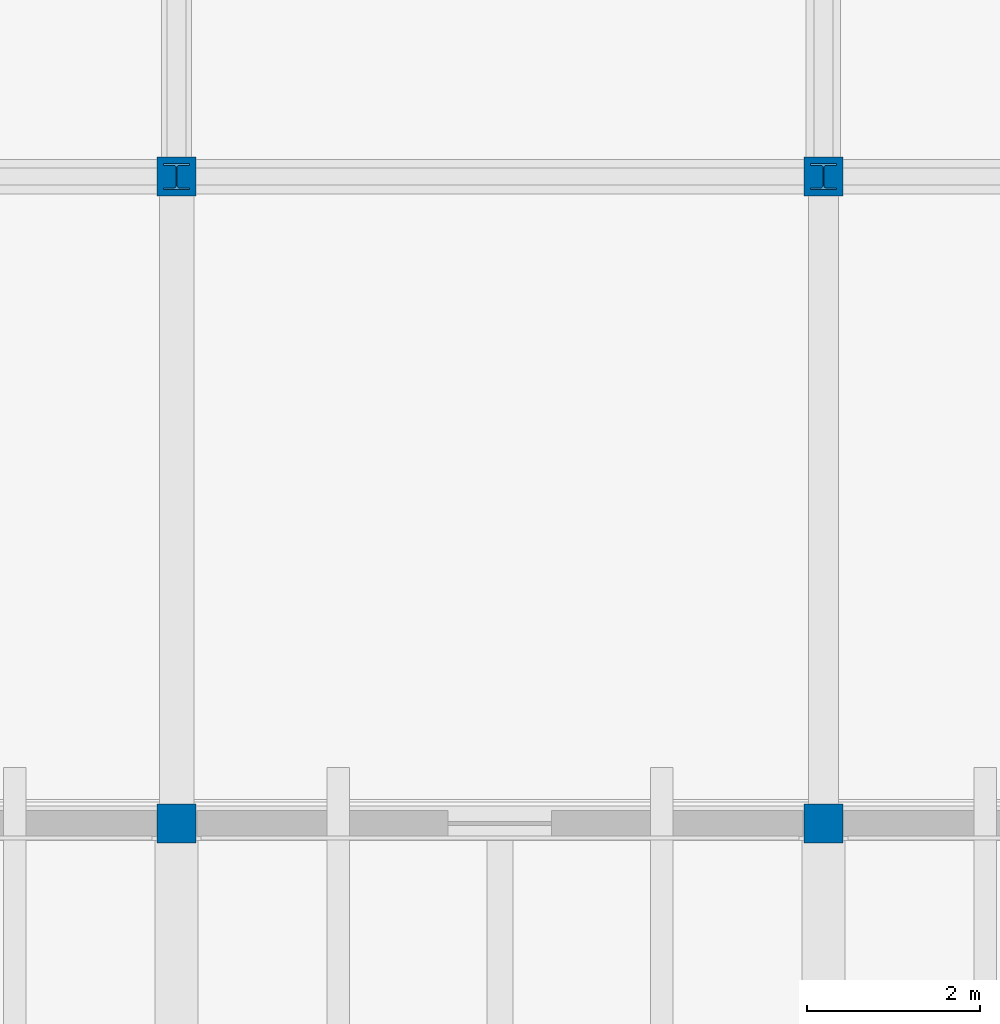
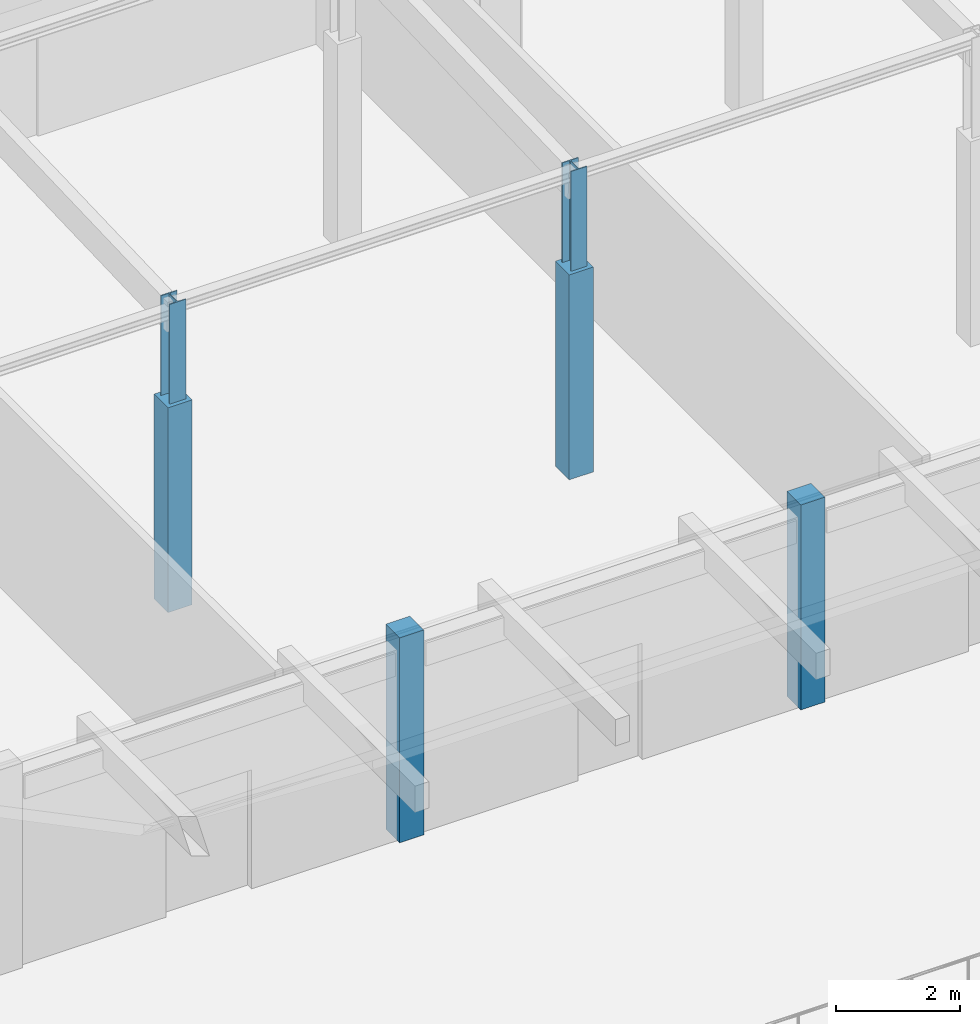
# One storey, part 7 of 48: 6 columns.
"""IFC4 building model written with IfcOpenShell, lengths in metres."""

from ifc_helpers import new_model, si_unit, direction, frame, origin, origin_2d, place, context, subcontext, project, spatial, rectangle, i_section, extrude, material, material_profile, profile_set, type_object, element, save


model = new_model("IFC4")

# Units and contexts
model_context = context("Model", 3, precision=1e-05, world=origin(), true_north=direction((0.0, 1.0)))
body_context = subcontext(model_context, "Body", "Model", "MODEL_VIEW")
ifc_project = project(units=[si_unit("LENGTHUNIT", "METRE"), si_unit("AREAUNIT", "SQUARE_METRE"), si_unit("VOLUMEUNIT", "CUBIC_METRE"), si_unit("PLANEANGLEUNIT", "RADIAN"), si_unit("MASSUNIT", "GRAM", prefix="KILO")], contexts=[model_context])

# Site, building, storey
site_placement = place(None, origin())
site = spatial("IfcSite", under=ifc_project, at=site_placement, CompositionType="ELEMENT")
building_placement = place(site_placement, origin())
building = spatial("IfcBuilding", under=site, at=building_placement, Name="Dalvernix Boulevard General Hospital", CompositionType="ELEMENT")
storey_placement = place(building_placement, frame((0.0, 0.0, 17.85009765625)))
storey = spatial("IfcBuildingStorey", under=building, at=storey_placement, Name="L04", CompositionType="ELEMENT", Elevation=17.85009765625)

# Columns
ifc_material_1 = material(Name="Concrete C40/50", Category="concrete")
ifc_material_profile_1 = material_profile(ifc_material_1, rectangle(XDim=0.449951171875, YDim=0.449951171875, at=origin_2d()), Name="RC 450x450")
ifc_profile_set_1 = profile_set([ifc_material_profile_1], Name="Concrete C40/50")
column_type_1 = type_object("IfcColumnType", Name="COL-C-10-E", PredefinedType="COLUMN", material=ifc_profile_set_1)
for number, where, z_axis, x_axis, name in (
    (1, (112.5, 85.5, 0.0), (0.0, 0.0, 1.0), (1.0, 0.0, 0.0), "L04 column 16M"),
    (2, (120.0, 85.5, 0.0), (0.0, 0.0, 1.0), (1.0, 0.0, 0.0), "L04 column 17M"),
):
    element("IfcColumn", number, at=place(storey_placement, frame(where, z_axis=z_axis, x_axis=x_axis)), inside=storey, type_object=column_type_1, Name=name, PredefinedType="COLUMN", context=body_context, shape_type="SweptSolid", body=[
        extrude(rectangle(XDim=0.449951171875, YDim=0.449951171875, at=origin_2d()), origin(), (0.0, 0.0, 1.0), 4.0498046875),
    ])
ifc_material_profile_2 = material_profile(ifc_material_1, rectangle(XDim=0.449951171875, YDim=0.449951171875, at=origin_2d()), Name="RC 450x450")
ifc_profile_set_2 = profile_set([ifc_material_profile_2], Name="Concrete C40/50")
column_type_2 = type_object("IfcColumnType", Name="COL-C-10-I", PredefinedType="COLUMN", material=ifc_profile_set_2)
for number, where, z_axis, x_axis, name in (
    (3, (112.5, 93.0, 0.0), (0.0, 0.0, 1.0), (1.0, 0.0, 0.0), "L04 column 16N"),
    (4, (120.0, 93.0, 0.0), (0.0, 0.0, 1.0), (1.0, 0.0, 0.0), "L04 column 17N"),
):
    element("IfcColumn", number, at=place(storey_placement, frame(where, z_axis=z_axis, x_axis=x_axis)), inside=storey, type_object=column_type_2, Name=name, PredefinedType="COLUMN", context=body_context, shape_type="SweptSolid", body=[
        extrude(rectangle(XDim=0.449951171875, YDim=0.449951171875, at=origin_2d()), origin(), (0.0, 0.0, 1.0), 4.0498046875),
    ])
ifc_material_2 = material(Name="Steel S355", Category="steel")
ifc_material_profile_3 = material_profile(ifc_material_2, i_section(OverallWidth=0.300048828125, OverallDepth=0.300048828125, WebThickness=0.010986328125, FlangeThickness=0.01904296875, FilletRadius=0.027099609375, at=origin_2d()), Name="HEB 300")
ifc_profile_set_3 = profile_set([ifc_material_profile_3], Name="Steel S355")
column_type_3 = type_object("IfcColumnType", Name="COL-C-18", PredefinedType="COLUMN", material=ifc_profile_set_3)
for number, where, z_axis, x_axis, name in (
    (5, (112.5, 93.0, 4.0498046875), (0.0, 0.0, 1.0), (1.0, 0.0, 0.0), "V3E roof king post 16N"),
    (6, (120.0, 93.0, 4.0498046875), (0.0, 0.0, 1.0), (1.0, 0.0, 0.0), "V3E roof king post 17N"),
):
    element("IfcColumn", number, at=place(storey_placement, frame(where, z_axis=z_axis, x_axis=x_axis)), inside=storey, type_object=column_type_3, Name=name, PredefinedType="COLUMN", context=body_context, shape_type="SweptSolid", body=[
        extrude(i_section(OverallWidth=0.300048828125, OverallDepth=0.300048828125, WebThickness=0.010986328125, FlangeThickness=0.01904296875, FilletRadius=0.027099609375, at=origin_2d()), origin(), (0.0, 0.0, 1.0), 1.97021484375),
    ])

save(model, "model.ifc")
